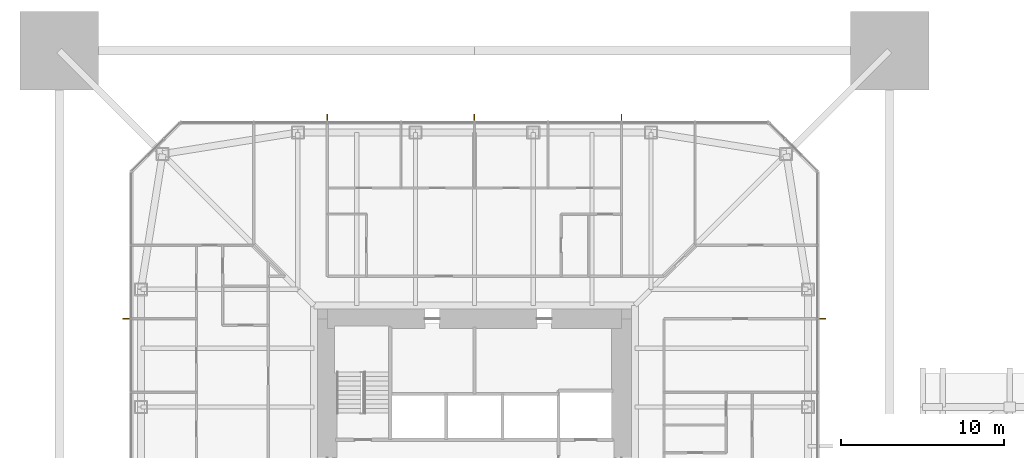
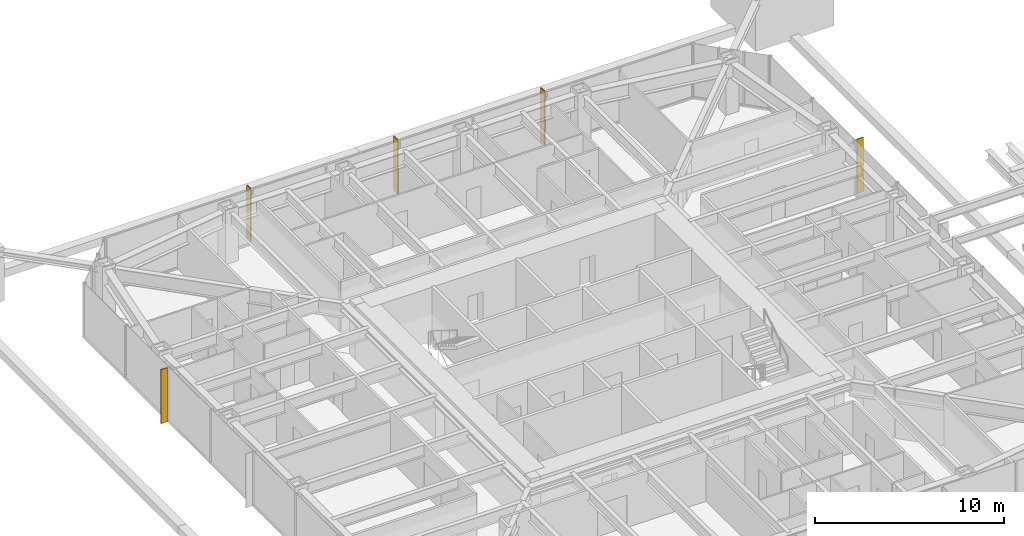
# One storey, part 25 of 26: 5 shading devices.
"""IFC4 building model written with IfcOpenShell, lengths in metres."""

from ifc_helpers import new_model, si_unit, direction, frame, origin, origin_2d, place, context, subcontext, project, spatial, rectangle, extrude, material, layer, layer_set, type_object, element, save


model = new_model("IFC4")

# Units and contexts
model_context = context("Model", 3, precision=1e-05, world=origin(), true_north=direction((0.0, 1.0)))
body_context = subcontext(model_context, "Body", "Model", "MODEL_VIEW")
ifc_project = project(units=[si_unit("LENGTHUNIT", "METRE"), si_unit("AREAUNIT", "SQUARE_METRE"), si_unit("VOLUMEUNIT", "CUBIC_METRE"), si_unit("PLANEANGLEUNIT", "RADIAN"), si_unit("MASSUNIT", "GRAM", prefix="KILO")], contexts=[model_context])

# Site, building, storey
site_placement = place(None, origin())
site = spatial("IfcSite", under=ifc_project, at=site_placement, CompositionType="ELEMENT")
building_placement = place(site_placement, origin())
building = spatial("IfcBuilding", under=site, at=building_placement, Name="Iwan Alto Co-Living Towers", CompositionType="ELEMENT")
storey_placement = place(building_placement, frame((0.0, 0.0, 126.0)))
storey = spatial("IfcBuildingStorey", under=building, at=storey_placement, Name="L34", CompositionType="ELEMENT", Elevation=126.0)

# Shading devices
ifc_material = material(Name="Aluminium 6063-T6 bronze anodised", Category="aluminium")
ifc_layer = layer(ifc_material, 0.050048828125)
ifc_layer_set = layer_set([ifc_layer], Name="BRONZE FIN 50X400")
shading_device_type = type_object("IfcShadingDeviceType", Name="BRONZE FIN 50X400", PredefinedType="USERDEFINED", material=ifc_layer_set)
for number, where, z_axis, x_axis, name in (
    (1, (21.300048828125, 9.0, 0.0), (0.0, 0.0, 1.0), (0.0, 1.0, 0.0), "Bronze fin L34"),
    (2, (9.0, 21.300048828125, 0.0), (0.0, 0.0, 1.0), (-1.0, 0.0, 0.0), "Bronze fin L34"),
    (3, (0.0, 21.300048828125, 0.0), (0.0, 0.0, 1.0), (-1.0, 0.0, 0.0), "Bronze fin L34"),
    (4, (-9.0, 21.300048828125, 0.0), (0.0, 0.0, 1.0), (-1.0, 0.0, 0.0), "Bronze fin L34"),
    (5, (-21.300048828125, 9.0, 0.0), (0.0, 0.0, 1.0), (0.0, -1.0, 0.0), "Bronze fin L34"),
):
    element("IfcShadingDevice", number, at=place(storey_placement, frame(where, z_axis=z_axis, x_axis=x_axis)), inside=storey, type_object=shading_device_type, Name=name, ObjectType="LOUVER", PredefinedType="USERDEFINED", context=body_context, shape_type="SweptSolid", body=[
        extrude(rectangle(XDim=0.050048828125, YDim=0.39990234375, at=origin_2d()), origin(), (0.0, 0.0, 1.0), 3.5),
    ])

save(model, "model.ifc")
